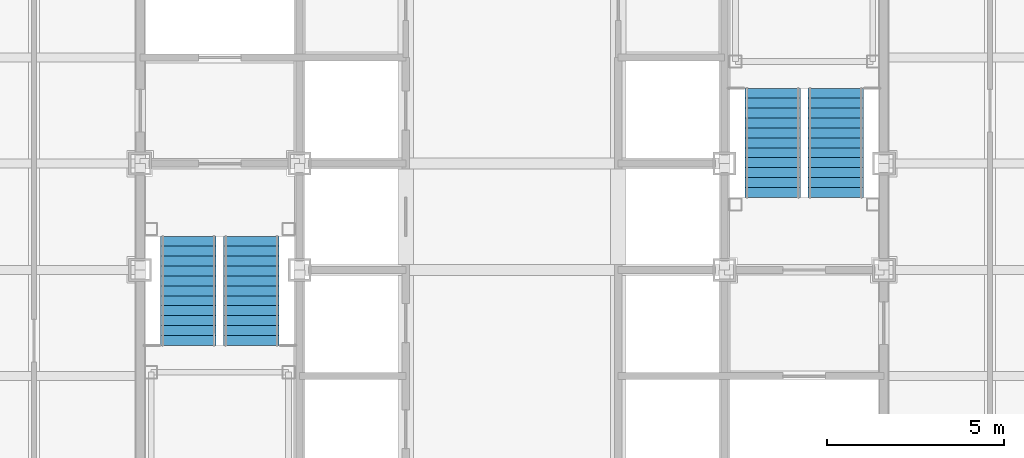
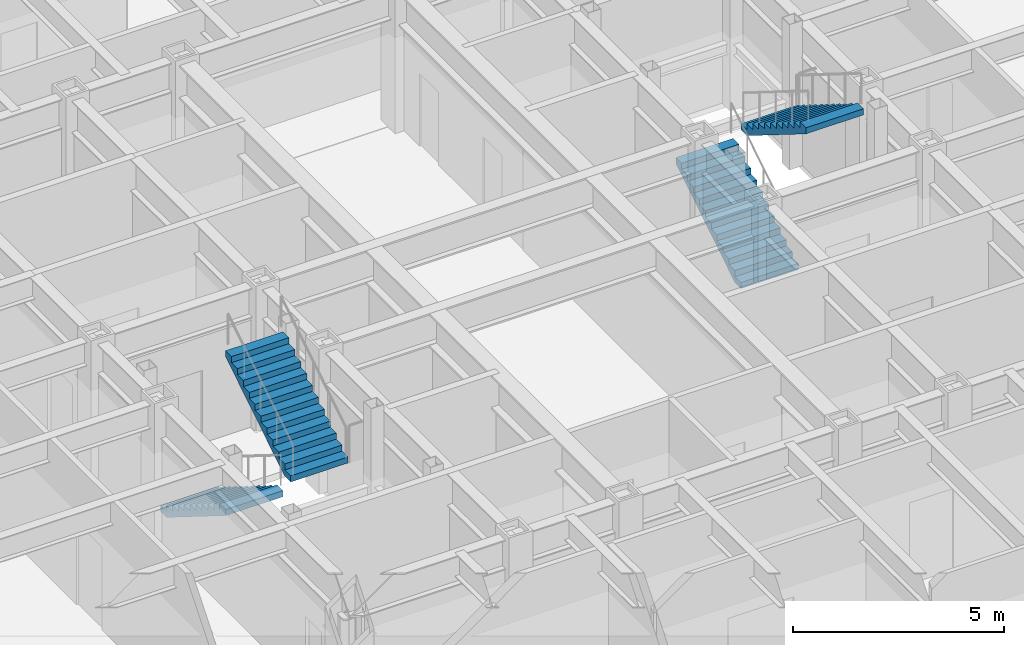
# One storey, part 13 of 16: 4 stair flights, 2 elements without a shape of their own.
"""IFC4 building model written with IfcOpenShell, lengths in metres."""

import ifcopenshell
import ifcopenshell.guid

model = None  # the IFC model being written
_history = None  # IfcOwnerHistory: only IFC2X3 demands one
_inside = {}  # id of a spatial element -> (the spatial element, [elements in it])
_under = {}  # id of a project, library or spatial element -> (it, [spatial elements below it])
_declared = {}  # id of a project -> (the project, [libraries it declares])
_typed = {}  # id of a type object -> (the type object, [elements of that type])
_made_of = {}  # id of a material, layer set ... -> (it, [elements and type objects made of it])


def new_model(schema):
    """Start an empty IFC model of exactly this schema.

    Asked for "IFC4X3", IfcOpenShell would pick the latest addendum, in which some entities
    have other attributes; the version numbers below select the first issue.
    IFC2X3 requires an IfcOwnerHistory on every rooted entity: one is made here for all.
    """
    global model, _history
    if schema == "IFC4X3":
        model = ifcopenshell.file(schema_version=(4, 3, 0, 0))
    else:
        model = ifcopenshell.file(schema=schema)
    _inside.clear()
    _under.clear()
    _declared.clear()
    _typed.clear()
    _made_of.clear()
    _history = None
    if model.schema == "IFC2X3":
        org = make("IfcOrganization", Name="unknown")
        user = make(
            "IfcPersonAndOrganization",
            ThePerson=make("IfcPerson", FamilyName="unknown"),
            TheOrganization=org,
        )
        app = make(
            "IfcApplication",
            ApplicationDeveloper=org,
            Version="unknown",
            ApplicationFullName="unknown",
            ApplicationIdentifier="unknown",
        )
        _history = make(
            "IfcOwnerHistory",
            OwningUser=user,
            OwningApplication=app,
            ChangeAction="ADDED",
            CreationDate=0,
        )
    return model


def make(cls, **values):
    """One entity of the class cls with the attributes given. An attribute that is None is left unset."""
    return model.create_entity(
        cls, **{name: value for name, value in values.items() if value is not None}
    )


def rooted(cls, **values):
    """An entity with a GlobalId (a new one), such as an element, a storey or a relation."""
    return make(cls, GlobalId=ifcopenshell.guid.new(), OwnerHistory=_history, **values)


def si_unit(unit_type, name, prefix=None):
    """IfcSIUnit, for example si_unit("LENGTHUNIT", "METRE", prefix="MILLI")."""
    return make("IfcSIUnit", UnitType=unit_type, Prefix=prefix, Name=name)


def assignment(units):
    """IfcUnitAssignment: the units of a project."""
    return None if units is None else make("IfcUnitAssignment", Units=units)


def point(xyz):
    """IfcCartesianPoint."""
    return None if xyz is None else make("IfcCartesianPoint", Coordinates=xyz)


def direction(xyz):
    """IfcDirection."""
    return None if xyz is None else make("IfcDirection", DirectionRatios=xyz)


def frame(location, z_axis=None, x_axis=None):
    """IfcAxis2Placement3D, a coordinate frame: its origin and axes. An axis left out is left unset."""
    return make(
        "IfcAxis2Placement3D",
        Location=point(location),
        Axis=direction(z_axis),
        RefDirection=direction(x_axis),
    )


def origin():
    """The frame at (0, 0, 0) with its axes left unset."""
    return frame((0.0, 0.0, 0.0))


def place(relative_to, where):
    """IfcLocalPlacement: puts the frame where relative to a parent placement (None: the world)."""
    return make(
        "IfcLocalPlacement", PlacementRelTo=relative_to, RelativePlacement=where
    )


def context(
    kind, dimensions, precision=None, world=None, true_north=None, identifier=None
):
    """IfcGeometricRepresentationContext, for example the 3D "Model" context."""
    return make(
        "IfcGeometricRepresentationContext",
        ContextIdentifier=identifier,
        ContextType=kind,
        CoordinateSpaceDimension=dimensions,
        Precision=precision,
        WorldCoordinateSystem=world,
        TrueNorth=true_north,
    )


def subcontext(parent, identifier, kind, view, scale=None):
    """IfcGeometricRepresentationSubContext, for example "Body" below "Model"."""
    return make(
        "IfcGeometricRepresentationSubContext",
        ContextIdentifier=identifier,
        ContextType=kind,
        ParentContext=parent,
        TargetScale=scale,
        TargetView=view,
    )


def project(units=None, contexts=None):
    """IfcProject with its units and contexts."""
    return rooted(
        "IfcProject",
        Name="project",
        RepresentationContexts=contexts,
        UnitsInContext=assignment(units),
    )


def spatial(cls, under=None, at=None, **own):
    """A site, building, storey or space (cls), placed at a placement, below another one or the project."""
    s = rooted(cls, ObjectPlacement=at, **own)
    if under is not None:
        _under.setdefault(under.id(), (under, []))[1].append(s)
    return s


def faces_of(points, faces, orient=None, outer=None):
    """IfcFace entities. A face is a list of loops; a loop is a list of indices into points, from 0.

    orient and outer hold one flag for each loop. By default every Orientation is true, the
    first loop of a face is its IfcFaceOuterBound and the others are IfcFaceBound.
    """
    made = []
    for i, loops in enumerate(faces):
        bounds = []
        for j, loop in enumerate(loops):
            is_outer = j == 0 if outer is None else outer[i][j]
            bounds.append(
                make(
                    "IfcFaceOuterBound" if is_outer else "IfcFaceBound",
                    Bound=make("IfcPolyLoop", Polygon=[points[k] for k in loop]),
                    Orientation=True if orient is None else orient[i][j],
                )
            )
        made.append(make("IfcFace", Bounds=bounds))
    return made


def faceted_brep(points, faces, orient=None, outer=None, voids=None):
    """IfcFacetedBrep: a solid bounded by flat faces; with voids (closed shells), ...WithVoids."""
    shared = [point(p) for p in points]
    hull = make("IfcClosedShell", CfsFaces=faces_of(shared, faces, orient, outer))
    if voids is None:
        return make("IfcFacetedBrep", Outer=hull)
    return make(
        "IfcFacetedBrepWithVoids",
        Outer=hull,
        Voids=[
            make(cls, CfsFaces=faces_of(shared, fs, o, b)) for cls, fs, o, b in voids
        ],
    )


def shape(context_of_items, identifier, shape_type, items):
    """IfcShapeRepresentation: the items that make up one representation, for example the "Body"."""
    return make(
        "IfcShapeRepresentation",
        ContextOfItems=context_of_items,
        RepresentationIdentifier=identifier,
        RepresentationType=shape_type,
        Items=items,
    )


def material(Name=None, Category=None):
    """IfcMaterial."""
    return make("IfcMaterial", Name=Name, Category=Category)


def made_of(thing, what):
    """Note that an element or type object is made of a material, layer set ...; save() writes the relation."""
    if what is not None:
        _made_of.setdefault(what.id(), (what, []))[1].append(thing)
    return thing


def type_object(cls, material=None, **own):
    """A type object (cls), such as IfcWallType, which elements share."""
    return made_of(rooted(cls, **own), material)


def element(
    cls,
    number,
    at=None,
    inside=None,
    cuts=None,
    type_object=None,
    material=None,
    context=None,
    identifier="Body",
    shape_type=None,
    held_by="IfcProductDefinitionShape",
    body=None,
    shapes=None,
    **own,
):
    """One element of the class cls, such as IfcWall. Its Tag is "e" and its number.

    at: its placement. inside: the storey or other place that contains it. cuts: it is an
    opening in that element (IfcRelVoidsElement). A single representation is given by context,
    identifier, shape_type and body (its items); several are given by shapes. held_by: the class
    of the entity that holds the representations. save() writes the other relations.
    """
    e = rooted(cls, Tag="e%d" % number, ObjectPlacement=at, **own)
    if body is not None:
        shapes = [shape(context, identifier, shape_type, body)]
    if shapes is not None:
        e.Representation = make(held_by, Representations=shapes)
    if inside is not None:
        _inside.setdefault(inside.id(), (inside, []))[1].append(e)
    if cuts is not None:
        rooted(
            "IfcRelVoidsElement", RelatingBuildingElement=cuts, RelatedOpeningElement=e
        )
    if type_object is not None:
        _typed.setdefault(type_object.id(), (type_object, []))[1].append(e)
    return made_of(e, material)


def aggregate(whole, parts):
    """IfcRelAggregates: a whole, such as a stair, and the parts it consists of."""
    return rooted("IfcRelAggregates", RelatingObject=whole, RelatedObjects=parts)


def save(model, path):
    """Write the relations noted so far, then the file.

    IfcRelAggregates (storeys below a building ...), IfcRelContainedInSpatialStructure (elements
    in a storey), IfcRelDefinesByType, IfcRelAssociatesMaterial and IfcRelDeclares: one each for
    every whole, place, type object, material and project.
    """
    for whole, parts in _under.values():
        aggregate(whole, parts)
    for where, things in _inside.values():
        rooted(
            "IfcRelContainedInSpatialStructure",
            RelatedElements=things,
            RelatingStructure=where,
        )
    for kind, things in _typed.values():
        rooted("IfcRelDefinesByType", RelatedObjects=things, RelatingType=kind)
    for what, things in _made_of.values():
        rooted("IfcRelAssociatesMaterial", RelatedObjects=things, RelatingMaterial=what)
    for by, libraries in _declared.values():
        rooted("IfcRelDeclares", RelatingContext=by, RelatedDefinitions=libraries)
    model.write(path)


model = new_model("IFC4")

# Units and contexts
model_context = context("Model", 3, precision=1e-05, world=origin(), true_north=direction((0.0, 1.0)))
body_context = subcontext(model_context, "Body", "Model", "MODEL_VIEW")
ifc_project = project(units=[si_unit("LENGTHUNIT", "METRE"), si_unit("AREAUNIT", "SQUARE_METRE"), si_unit("VOLUMEUNIT", "CUBIC_METRE"), si_unit("PLANEANGLEUNIT", "RADIAN"), si_unit("MASSUNIT", "GRAM", prefix="KILO")], contexts=[model_context])

# Site, building, storey
site_placement = place(None, origin())
site = spatial("IfcSite", under=ifc_project, at=site_placement, CompositionType="ELEMENT")
building_placement = place(site_placement, origin())
building = spatial("IfcBuilding", under=site, at=building_placement, Name="Chuquiago Exchange Tower", CompositionType="ELEMENT")
storey_placement = place(building_placement, frame((0.0, 0.0, 140.39990234375)))
storey = spatial("IfcBuildingStorey", under=building, at=storey_placement, Name="L30", CompositionType="ELEMENT", Elevation=140.39990234375)

# Stair, stair flights
ifc_material_1 = material(Name="Concrete C30/37, precast", Category="concrete")
stair_type_1 = type_object("IfcStairType", Name="ST1 half-turn stair 4200", PredefinedType="HALF_TURN_STAIR", material=ifc_material_1)
stair_1_placement = place(storey_placement, origin())
stair_1 = element("IfcStair", 1, at=stair_1_placement, inside=storey, type_object=stair_type_1, Name="Stair ST1 L30", PredefinedType="HALF_TURN_STAIR")
ifc_material_2 = material(Name="Concrete C30/37, precast", Category="concrete")
stair_flight_type = type_object("IfcStairFlightType", Name="ST-F flight 1570 for 4200 storey", PredefinedType="STRAIGHT", material=ifc_material_2)
stair_flight_1_placement = place(storey_placement, frame((13.360107421875, 21.949951171875, 0.0), z_axis=(0.0, 0.0, 1.0), x_axis=(0.0, -1.0, 0.0)))
stair_flight_1 = element("IfcStairFlight", 2, at=stair_flight_1_placement, type_object=stair_flight_type, Name="ST1 flight 1", NumberOfRisers=12, NumberOfTreads=11, PredefinedType="STRAIGHT", RiserHeight=0.175, TreadLength=0.28, context=body_context, shape_type="Brep", body=[
    faceted_brep([(0.0, 0.78515625, 0.0), (0.0, 0.78515625, 0.175048828125), (0.280029296875, 0.78515625, 0.175048828125), (0.280029296875, 0.78515625, 0.35009765625), (0.56005859375, 0.78515625, 0.35009765625), (0.56005859375, 0.78515625, 0.52490234375), (0.840087890625, 0.78515625, 0.52490234375), (0.840087890625, 0.78515625, 0.699951171875), (1.1201171875, 0.78515625, 0.699951171875), (1.1201171875, 0.78515625, 0.875), (1.39990234375, 0.78515625, 0.875), (1.39990234375, 0.78515625, 1.050048828125), (1.679931640625, 0.78515625, 1.050048828125), (1.679931640625, 0.78515625, 1.22509765625), (1.9599609375, 0.78515625, 1.22509765625), (1.9599609375, 0.78515625, 1.39990234375), (2.239990234375, 0.78515625, 1.39990234375), (2.239990234375, 0.78515625, 1.574951171875), (2.52001953125, 0.78515625, 1.574951171875), (2.52001953125, 0.78515625, 1.75), (2.800048828125, 0.78515625, 1.75), (2.800048828125, 0.78515625, 1.925048828125), (3.080078125, 0.78515625, 1.925048828125), (3.080078125, 0.78515625, 1.748291015625), (0.28271484375, 0.78515625, 0.0), (0.28271484375, -0.78515625, 0.0), (3.080078125, -0.78515625, 1.748291015625), (3.080078125, -0.78515625, 1.925048828125), (2.800048828125, -0.78515625, 1.925048828125), (2.800048828125, -0.78515625, 1.75), (2.52001953125, -0.78515625, 1.75), (2.52001953125, -0.78515625, 1.574951171875), (2.239990234375, -0.78515625, 1.574951171875), (2.239990234375, -0.78515625, 1.39990234375), (1.9599609375, -0.78515625, 1.39990234375), (1.9599609375, -0.78515625, 1.22509765625), (1.679931640625, -0.78515625, 1.22509765625), (1.679931640625, -0.78515625, 1.050048828125), (1.39990234375, -0.78515625, 1.050048828125), (1.39990234375, -0.78515625, 0.875), (1.1201171875, -0.78515625, 0.875), (1.1201171875, -0.78515625, 0.699951171875), (0.840087890625, -0.78515625, 0.699951171875), (0.840087890625, -0.78515625, 0.52490234375), (0.56005859375, -0.78515625, 0.52490234375), (0.56005859375, -0.78515625, 0.35009765625), (0.280029296875, -0.78515625, 0.35009765625), (0.280029296875, -0.78515625, 0.175048828125), (0.0, -0.78515625, 0.175048828125), (0.0, -0.78515625, 0.0), (0.0, 0.392578125, 0.0), (0.0, 0.392578125, 0.175048828125), (0.0, 0.0, 0.0), (0.0, 0.0, 0.175048828125), (0.0, -0.392578125, 0.0), (0.0, -0.392578125, 0.175048828125), (0.280029296875, 0.392578125, 0.175048828125), (0.280029296875, 0.0, 0.175048828125), (0.280029296875, -0.392578125, 0.175048828125), (0.280029296875, 0.392578125, 0.35009765625), (0.280029296875, 0.0, 0.35009765625), (0.280029296875, -0.392578125, 0.35009765625), (0.56005859375, 0.392578125, 0.35009765625), (0.56005859375, 0.0, 0.35009765625), (0.56005859375, -0.392578125, 0.35009765625), (0.56005859375, 0.392578125, 0.52490234375), (0.56005859375, 0.0, 0.52490234375), (0.56005859375, -0.392578125, 0.52490234375), (0.840087890625, 0.392578125, 0.52490234375), (0.840087890625, 0.0, 0.52490234375), (0.840087890625, -0.392578125, 0.52490234375), (0.840087890625, 0.392578125, 0.699951171875), (0.840087890625, 0.0, 0.699951171875), (0.840087890625, -0.392578125, 0.699951171875), (1.1201171875, 0.392578125, 0.699951171875), (1.1201171875, 0.0, 0.699951171875), (1.1201171875, -0.392578125, 0.699951171875), (1.1201171875, 0.392578125, 0.875), (1.1201171875, 0.0, 0.875), (1.1201171875, -0.392578125, 0.875), (1.39990234375, 0.392578125, 0.875), (1.39990234375, 0.0, 0.875), (1.39990234375, -0.392578125, 0.875), (1.39990234375, 0.392578125, 1.050048828125), (1.39990234375, 0.0, 1.050048828125), (1.39990234375, -0.392578125, 1.050048828125), (1.679931640625, 0.392578125, 1.050048828125), (1.679931640625, 0.0, 1.050048828125), (1.679931640625, -0.392578125, 1.050048828125), (1.679931640625, 0.392578125, 1.22509765625), (1.679931640625, 0.0, 1.22509765625), (1.679931640625, -0.392578125, 1.22509765625), (1.9599609375, 0.392578125, 1.22509765625), (1.9599609375, 0.0, 1.22509765625), (1.9599609375, -0.392578125, 1.22509765625), (1.9599609375, 0.392578125, 1.39990234375), (1.9599609375, 0.0, 1.39990234375), (1.9599609375, -0.392578125, 1.39990234375), (2.239990234375, 0.392578125, 1.39990234375), (2.239990234375, 0.0, 1.39990234375), (2.239990234375, -0.392578125, 1.39990234375), (2.239990234375, 0.392578125, 1.574951171875), (2.239990234375, 0.0, 1.574951171875), (2.239990234375, -0.392578125, 1.574951171875), (2.52001953125, 0.392578125, 1.574951171875), (2.52001953125, 0.0, 1.574951171875), (2.52001953125, -0.392578125, 1.574951171875), (2.52001953125, 0.392578125, 1.75), (2.52001953125, 0.0, 1.75), (2.52001953125, -0.392578125, 1.75), (2.800048828125, 0.392578125, 1.75), (2.800048828125, 0.0, 1.75), (2.800048828125, -0.392578125, 1.75), (2.800048828125, 0.392578125, 1.925048828125), (2.800048828125, 0.0, 1.925048828125), (2.800048828125, -0.392578125, 1.925048828125), (3.080078125, 0.392578125, 1.925048828125), (3.080078125, 0.0, 1.925048828125), (3.080078125, -0.392578125, 1.925048828125), (3.080078125, 0.392578125, 1.748291015625), (3.080078125, 0.0, 1.748291015625), (3.080078125, -0.392578125, 1.748291015625), (0.28271484375, 0.392578125, 0.0), (0.28271484375, 0.0, 0.0), (0.28271484375, -0.392578125, 0.0)], [[[0, 1, 2, 3, 4, 5, 6, 7, 8, 9, 10, 11, 12, 13, 14, 15, 16, 17, 18, 19, 20, 21, 22, 23, 24]], [[25, 26, 27, 28, 29, 30, 31, 32, 33, 34, 35, 36, 37, 38, 39, 40, 41, 42, 43, 44, 45, 46, 47, 48, 49]], [[1, 0, 50, 51]], [[51, 50, 52, 53]], [[53, 52, 54, 55]], [[55, 54, 49, 48]], [[2, 1, 51, 56]], [[56, 51, 53, 57]], [[57, 53, 55, 58]], [[58, 55, 48, 47]], [[3, 2, 56, 59]], [[59, 56, 57, 60]], [[60, 57, 58, 61]], [[61, 58, 47, 46]], [[4, 3, 59, 62]], [[62, 59, 60, 63]], [[63, 60, 61, 64]], [[64, 61, 46, 45]], [[5, 4, 62, 65]], [[65, 62, 63, 66]], [[66, 63, 64, 67]], [[67, 64, 45, 44]], [[6, 5, 65, 68]], [[68, 65, 66, 69]], [[69, 66, 67, 70]], [[70, 67, 44, 43]], [[7, 6, 68, 71]], [[71, 68, 69, 72]], [[72, 69, 70, 73]], [[73, 70, 43, 42]], [[8, 7, 71, 74]], [[74, 71, 72, 75]], [[75, 72, 73, 76]], [[76, 73, 42, 41]], [[9, 8, 74, 77]], [[77, 74, 75, 78]], [[78, 75, 76, 79]], [[79, 76, 41, 40]], [[10, 9, 77, 80]], [[80, 77, 78, 81]], [[81, 78, 79, 82]], [[82, 79, 40, 39]], [[11, 10, 80, 83]], [[83, 80, 81, 84]], [[84, 81, 82, 85]], [[85, 82, 39, 38]], [[12, 11, 83, 86]], [[86, 83, 84, 87]], [[87, 84, 85, 88]], [[88, 85, 38, 37]], [[13, 12, 86, 89]], [[89, 86, 87, 90]], [[90, 87, 88, 91]], [[91, 88, 37, 36]], [[14, 13, 89, 92]], [[92, 89, 90, 93]], [[93, 90, 91, 94]], [[94, 91, 36, 35]], [[15, 14, 92, 95]], [[95, 92, 93, 96]], [[96, 93, 94, 97]], [[97, 94, 35, 34]], [[16, 15, 95, 98]], [[98, 95, 96, 99]], [[99, 96, 97, 100]], [[100, 97, 34, 33]], [[17, 16, 98, 101]], [[101, 98, 99, 102]], [[102, 99, 100, 103]], [[103, 100, 33, 32]], [[18, 17, 101, 104]], [[104, 101, 102, 105]], [[105, 102, 103, 106]], [[106, 103, 32, 31]], [[19, 18, 104, 107]], [[107, 104, 105, 108]], [[108, 105, 106, 109]], [[109, 106, 31, 30]], [[20, 19, 107, 110]], [[110, 107, 108, 111]], [[111, 108, 109, 112]], [[112, 109, 30, 29]], [[21, 20, 110, 113]], [[113, 110, 111, 114]], [[114, 111, 112, 115]], [[115, 112, 29, 28]], [[22, 21, 113, 116]], [[116, 113, 114, 117]], [[117, 114, 115, 118]], [[118, 115, 28, 27]], [[23, 22, 116, 119]], [[119, 116, 117, 120]], [[120, 117, 118, 121]], [[121, 118, 27, 26]], [[24, 23, 119, 122]], [[122, 119, 120, 123]], [[123, 120, 121, 124]], [[124, 121, 26, 25]], [[0, 24, 122, 50]], [[50, 122, 123, 52]], [[52, 123, 124, 54]], [[54, 124, 25, 49]]]),
])
stair_flight_2_placement = place(storey_placement, frame((15.139892578125, 18.8701171875, 2.10009765625), z_axis=(0.0, 0.0, 1.0), x_axis=(0.0, 1.0, 0.0)))
stair_flight_2 = element("IfcStairFlight", 3, at=stair_flight_2_placement, type_object=stair_flight_type, Name="ST1 flight 2", NumberOfRisers=12, NumberOfTreads=11, PredefinedType="STRAIGHT", RiserHeight=0.175, TreadLength=0.28, context=body_context, shape_type="Brep", body=[
    faceted_brep([(0.0, 0.78515625, 0.0), (0.0, 0.78515625, 0.175048828125), (0.280029296875, 0.78515625, 0.175048828125), (0.280029296875, 0.78515625, 0.35009765625), (0.56005859375, 0.78515625, 0.35009765625), (0.56005859375, 0.78515625, 0.52490234375), (0.840087890625, 0.78515625, 0.52490234375), (0.840087890625, 0.78515625, 0.699951171875), (1.1201171875, 0.78515625, 0.699951171875), (1.1201171875, 0.78515625, 0.875), (1.39990234375, 0.78515625, 0.875), (1.39990234375, 0.78515625, 1.050048828125), (1.679931640625, 0.78515625, 1.050048828125), (1.679931640625, 0.78515625, 1.22509765625), (1.9599609375, 0.78515625, 1.22509765625), (1.9599609375, 0.78515625, 1.39990234375), (2.239990234375, 0.78515625, 1.39990234375), (2.239990234375, 0.78515625, 1.574951171875), (2.52001953125, 0.78515625, 1.574951171875), (2.52001953125, 0.78515625, 1.75), (2.800048828125, 0.78515625, 1.75), (2.800048828125, 0.78515625, 1.925048828125), (3.080078125, 0.78515625, 1.925048828125), (3.080078125, 0.78515625, 1.748291015625), (0.28271484375, 0.78515625, 0.0), (0.28271484375, -0.78515625, 0.0), (3.080078125, -0.78515625, 1.748291015625), (3.080078125, -0.78515625, 1.925048828125), (2.800048828125, -0.78515625, 1.925048828125), (2.800048828125, -0.78515625, 1.75), (2.52001953125, -0.78515625, 1.75), (2.52001953125, -0.78515625, 1.574951171875), (2.239990234375, -0.78515625, 1.574951171875), (2.239990234375, -0.78515625, 1.39990234375), (1.9599609375, -0.78515625, 1.39990234375), (1.9599609375, -0.78515625, 1.22509765625), (1.679931640625, -0.78515625, 1.22509765625), (1.679931640625, -0.78515625, 1.050048828125), (1.39990234375, -0.78515625, 1.050048828125), (1.39990234375, -0.78515625, 0.875), (1.1201171875, -0.78515625, 0.875), (1.1201171875, -0.78515625, 0.699951171875), (0.840087890625, -0.78515625, 0.699951171875), (0.840087890625, -0.78515625, 0.52490234375), (0.56005859375, -0.78515625, 0.52490234375), (0.56005859375, -0.78515625, 0.35009765625), (0.280029296875, -0.78515625, 0.35009765625), (0.280029296875, -0.78515625, 0.175048828125), (0.0, -0.78515625, 0.175048828125), (0.0, -0.78515625, 0.0), (0.0, 0.392578125, 0.0), (0.0, 0.392578125, 0.175048828125), (0.0, 0.0, 0.0), (0.0, 0.0, 0.175048828125), (0.0, -0.392578125, 0.0), (0.0, -0.392578125, 0.175048828125), (0.280029296875, 0.392578125, 0.175048828125), (0.280029296875, 0.0, 0.175048828125), (0.280029296875, -0.392578125, 0.175048828125), (0.280029296875, 0.392578125, 0.35009765625), (0.280029296875, 0.0, 0.35009765625), (0.280029296875, -0.392578125, 0.35009765625), (0.56005859375, 0.392578125, 0.35009765625), (0.56005859375, 0.0, 0.35009765625), (0.56005859375, -0.392578125, 0.35009765625), (0.56005859375, 0.392578125, 0.52490234375), (0.56005859375, 0.0, 0.52490234375), (0.56005859375, -0.392578125, 0.52490234375), (0.840087890625, 0.392578125, 0.52490234375), (0.840087890625, 0.0, 0.52490234375), (0.840087890625, -0.392578125, 0.52490234375), (0.840087890625, 0.392578125, 0.699951171875), (0.840087890625, 0.0, 0.699951171875), (0.840087890625, -0.392578125, 0.699951171875), (1.1201171875, 0.392578125, 0.699951171875), (1.1201171875, 0.0, 0.699951171875), (1.1201171875, -0.392578125, 0.699951171875), (1.1201171875, 0.392578125, 0.875), (1.1201171875, 0.0, 0.875), (1.1201171875, -0.392578125, 0.875), (1.39990234375, 0.392578125, 0.875), (1.39990234375, 0.0, 0.875), (1.39990234375, -0.392578125, 0.875), (1.39990234375, 0.392578125, 1.050048828125), (1.39990234375, 0.0, 1.050048828125), (1.39990234375, -0.392578125, 1.050048828125), (1.679931640625, 0.392578125, 1.050048828125), (1.679931640625, 0.0, 1.050048828125), (1.679931640625, -0.392578125, 1.050048828125), (1.679931640625, 0.392578125, 1.22509765625), (1.679931640625, 0.0, 1.22509765625), (1.679931640625, -0.392578125, 1.22509765625), (1.9599609375, 0.392578125, 1.22509765625), (1.9599609375, 0.0, 1.22509765625), (1.9599609375, -0.392578125, 1.22509765625), (1.9599609375, 0.392578125, 1.39990234375), (1.9599609375, 0.0, 1.39990234375), (1.9599609375, -0.392578125, 1.39990234375), (2.239990234375, 0.392578125, 1.39990234375), (2.239990234375, 0.0, 1.39990234375), (2.239990234375, -0.392578125, 1.39990234375), (2.239990234375, 0.392578125, 1.574951171875), (2.239990234375, 0.0, 1.574951171875), (2.239990234375, -0.392578125, 1.574951171875), (2.52001953125, 0.392578125, 1.574951171875), (2.52001953125, 0.0, 1.574951171875), (2.52001953125, -0.392578125, 1.574951171875), (2.52001953125, 0.392578125, 1.75), (2.52001953125, 0.0, 1.75), (2.52001953125, -0.392578125, 1.75), (2.800048828125, 0.392578125, 1.75), (2.800048828125, 0.0, 1.75), (2.800048828125, -0.392578125, 1.75), (2.800048828125, 0.392578125, 1.925048828125), (2.800048828125, 0.0, 1.925048828125), (2.800048828125, -0.392578125, 1.925048828125), (3.080078125, 0.392578125, 1.925048828125), (3.080078125, 0.0, 1.925048828125), (3.080078125, -0.392578125, 1.925048828125), (3.080078125, 0.392578125, 1.748291015625), (3.080078125, 0.0, 1.748291015625), (3.080078125, -0.392578125, 1.748291015625), (0.28271484375, 0.392578125, 0.0), (0.28271484375, 0.0, 0.0), (0.28271484375, -0.392578125, 0.0)], [[[0, 1, 2, 3, 4, 5, 6, 7, 8, 9, 10, 11, 12, 13, 14, 15, 16, 17, 18, 19, 20, 21, 22, 23, 24]], [[25, 26, 27, 28, 29, 30, 31, 32, 33, 34, 35, 36, 37, 38, 39, 40, 41, 42, 43, 44, 45, 46, 47, 48, 49]], [[1, 0, 50, 51]], [[51, 50, 52, 53]], [[53, 52, 54, 55]], [[55, 54, 49, 48]], [[2, 1, 51, 56]], [[56, 51, 53, 57]], [[57, 53, 55, 58]], [[58, 55, 48, 47]], [[3, 2, 56, 59]], [[59, 56, 57, 60]], [[60, 57, 58, 61]], [[61, 58, 47, 46]], [[4, 3, 59, 62]], [[62, 59, 60, 63]], [[63, 60, 61, 64]], [[64, 61, 46, 45]], [[5, 4, 62, 65]], [[65, 62, 63, 66]], [[66, 63, 64, 67]], [[67, 64, 45, 44]], [[6, 5, 65, 68]], [[68, 65, 66, 69]], [[69, 66, 67, 70]], [[70, 67, 44, 43]], [[7, 6, 68, 71]], [[71, 68, 69, 72]], [[72, 69, 70, 73]], [[73, 70, 43, 42]], [[8, 7, 71, 74]], [[74, 71, 72, 75]], [[75, 72, 73, 76]], [[76, 73, 42, 41]], [[9, 8, 74, 77]], [[77, 74, 75, 78]], [[78, 75, 76, 79]], [[79, 76, 41, 40]], [[10, 9, 77, 80]], [[80, 77, 78, 81]], [[81, 78, 79, 82]], [[82, 79, 40, 39]], [[11, 10, 80, 83]], [[83, 80, 81, 84]], [[84, 81, 82, 85]], [[85, 82, 39, 38]], [[12, 11, 83, 86]], [[86, 83, 84, 87]], [[87, 84, 85, 88]], [[88, 85, 38, 37]], [[13, 12, 86, 89]], [[89, 86, 87, 90]], [[90, 87, 88, 91]], [[91, 88, 37, 36]], [[14, 13, 89, 92]], [[92, 89, 90, 93]], [[93, 90, 91, 94]], [[94, 91, 36, 35]], [[15, 14, 92, 95]], [[95, 92, 93, 96]], [[96, 93, 94, 97]], [[97, 94, 35, 34]], [[16, 15, 95, 98]], [[98, 95, 96, 99]], [[99, 96, 97, 100]], [[100, 97, 34, 33]], [[17, 16, 98, 101]], [[101, 98, 99, 102]], [[102, 99, 100, 103]], [[103, 100, 33, 32]], [[18, 17, 101, 104]], [[104, 101, 102, 105]], [[105, 102, 103, 106]], [[106, 103, 32, 31]], [[19, 18, 104, 107]], [[107, 104, 105, 108]], [[108, 105, 106, 109]], [[109, 106, 31, 30]], [[20, 19, 107, 110]], [[110, 107, 108, 111]], [[111, 108, 109, 112]], [[112, 109, 30, 29]], [[21, 20, 110, 113]], [[113, 110, 111, 114]], [[114, 111, 112, 115]], [[115, 112, 29, 28]], [[22, 21, 113, 116]], [[116, 113, 114, 117]], [[117, 114, 115, 118]], [[118, 115, 28, 27]], [[23, 22, 116, 119]], [[119, 116, 117, 120]], [[120, 117, 118, 121]], [[121, 118, 27, 26]], [[24, 23, 119, 122]], [[122, 119, 120, 123]], [[123, 120, 121, 124]], [[124, 121, 26, 25]], [[0, 24, 122, 50]], [[50, 122, 123, 52]], [[52, 123, 124, 54]], [[54, 124, 25, 49]]]),
])
aggregate(stair_1, [stair_flight_1, stair_flight_2])

ifc_material_3 = material(Name="Concrete C30/37, precast", Category="concrete")
stair_type_2 = type_object("IfcStairType", Name="ST2 half-turn stair 4200", PredefinedType="HALF_TURN_STAIR", material=ifc_material_3)
stair_2_placement = place(storey_placement, origin())
stair_2 = element("IfcStair", 4, at=stair_2_placement, inside=storey, type_object=stair_type_2, Name="Stair ST2 L30", PredefinedType="HALF_TURN_STAIR")
stair_flight_3_placement = place(storey_placement, frame((29.860107421875, 23.050048828125, 0.0), z_axis=(0.0, 0.0, 1.0), x_axis=(0.0, 1.0, 0.0)))
stair_flight_3 = element("IfcStairFlight", 5, at=stair_flight_3_placement, type_object=stair_flight_type, Name="ST2 flight 1", NumberOfRisers=12, NumberOfTreads=11, PredefinedType="STRAIGHT", RiserHeight=0.175, TreadLength=0.28, context=body_context, shape_type="Brep", body=[
    faceted_brep([(0.0, 0.78515625, 0.0), (0.0, 0.78515625, 0.175048828125), (0.280029296875, 0.78515625, 0.175048828125), (0.280029296875, 0.78515625, 0.35009765625), (0.56005859375, 0.78515625, 0.35009765625), (0.56005859375, 0.78515625, 0.52490234375), (0.840087890625, 0.78515625, 0.52490234375), (0.840087890625, 0.78515625, 0.699951171875), (1.1201171875, 0.78515625, 0.699951171875), (1.1201171875, 0.78515625, 0.875), (1.39990234375, 0.78515625, 0.875), (1.39990234375, 0.78515625, 1.050048828125), (1.679931640625, 0.78515625, 1.050048828125), (1.679931640625, 0.78515625, 1.22509765625), (1.9599609375, 0.78515625, 1.22509765625), (1.9599609375, 0.78515625, 1.39990234375), (2.239990234375, 0.78515625, 1.39990234375), (2.239990234375, 0.78515625, 1.574951171875), (2.52001953125, 0.78515625, 1.574951171875), (2.52001953125, 0.78515625, 1.75), (2.800048828125, 0.78515625, 1.75), (2.800048828125, 0.78515625, 1.925048828125), (3.080078125, 0.78515625, 1.925048828125), (3.080078125, 0.78515625, 1.748291015625), (0.28271484375, 0.78515625, 0.0), (0.28271484375, -0.78515625, 0.0), (3.080078125, -0.78515625, 1.748291015625), (3.080078125, -0.78515625, 1.925048828125), (2.800048828125, -0.78515625, 1.925048828125), (2.800048828125, -0.78515625, 1.75), (2.52001953125, -0.78515625, 1.75), (2.52001953125, -0.78515625, 1.574951171875), (2.239990234375, -0.78515625, 1.574951171875), (2.239990234375, -0.78515625, 1.39990234375), (1.9599609375, -0.78515625, 1.39990234375), (1.9599609375, -0.78515625, 1.22509765625), (1.679931640625, -0.78515625, 1.22509765625), (1.679931640625, -0.78515625, 1.050048828125), (1.39990234375, -0.78515625, 1.050048828125), (1.39990234375, -0.78515625, 0.875), (1.1201171875, -0.78515625, 0.875), (1.1201171875, -0.78515625, 0.699951171875), (0.840087890625, -0.78515625, 0.699951171875), (0.840087890625, -0.78515625, 0.52490234375), (0.56005859375, -0.78515625, 0.52490234375), (0.56005859375, -0.78515625, 0.35009765625), (0.280029296875, -0.78515625, 0.35009765625), (0.280029296875, -0.78515625, 0.175048828125), (0.0, -0.78515625, 0.175048828125), (0.0, -0.78515625, 0.0), (0.0, 0.392578125, 0.0), (0.0, 0.392578125, 0.175048828125), (0.0, 0.0, 0.0), (0.0, 0.0, 0.175048828125), (0.0, -0.392578125, 0.0), (0.0, -0.392578125, 0.175048828125), (0.280029296875, 0.392578125, 0.175048828125), (0.280029296875, 0.0, 0.175048828125), (0.280029296875, -0.392578125, 0.175048828125), (0.280029296875, 0.392578125, 0.35009765625), (0.280029296875, 0.0, 0.35009765625), (0.280029296875, -0.392578125, 0.35009765625), (0.56005859375, 0.392578125, 0.35009765625), (0.56005859375, 0.0, 0.35009765625), (0.56005859375, -0.392578125, 0.35009765625), (0.56005859375, 0.392578125, 0.52490234375), (0.56005859375, 0.0, 0.52490234375), (0.56005859375, -0.392578125, 0.52490234375), (0.840087890625, 0.392578125, 0.52490234375), (0.840087890625, 0.0, 0.52490234375), (0.840087890625, -0.392578125, 0.52490234375), (0.840087890625, 0.392578125, 0.699951171875), (0.840087890625, 0.0, 0.699951171875), (0.840087890625, -0.392578125, 0.699951171875), (1.1201171875, 0.392578125, 0.699951171875), (1.1201171875, 0.0, 0.699951171875), (1.1201171875, -0.392578125, 0.699951171875), (1.1201171875, 0.392578125, 0.875), (1.1201171875, 0.0, 0.875), (1.1201171875, -0.392578125, 0.875), (1.39990234375, 0.392578125, 0.875), (1.39990234375, 0.0, 0.875), (1.39990234375, -0.392578125, 0.875), (1.39990234375, 0.392578125, 1.050048828125), (1.39990234375, 0.0, 1.050048828125), (1.39990234375, -0.392578125, 1.050048828125), (1.679931640625, 0.392578125, 1.050048828125), (1.679931640625, 0.0, 1.050048828125), (1.679931640625, -0.392578125, 1.050048828125), (1.679931640625, 0.392578125, 1.22509765625), (1.679931640625, 0.0, 1.22509765625), (1.679931640625, -0.392578125, 1.22509765625), (1.9599609375, 0.392578125, 1.22509765625), (1.9599609375, 0.0, 1.22509765625), (1.9599609375, -0.392578125, 1.22509765625), (1.9599609375, 0.392578125, 1.39990234375), (1.9599609375, 0.0, 1.39990234375), (1.9599609375, -0.392578125, 1.39990234375), (2.239990234375, 0.392578125, 1.39990234375), (2.239990234375, 0.0, 1.39990234375), (2.239990234375, -0.392578125, 1.39990234375), (2.239990234375, 0.392578125, 1.574951171875), (2.239990234375, 0.0, 1.574951171875), (2.239990234375, -0.392578125, 1.574951171875), (2.52001953125, 0.392578125, 1.574951171875), (2.52001953125, 0.0, 1.574951171875), (2.52001953125, -0.392578125, 1.574951171875), (2.52001953125, 0.392578125, 1.75), (2.52001953125, 0.0, 1.75), (2.52001953125, -0.392578125, 1.75), (2.800048828125, 0.392578125, 1.75), (2.800048828125, 0.0, 1.75), (2.800048828125, -0.392578125, 1.75), (2.800048828125, 0.392578125, 1.925048828125), (2.800048828125, 0.0, 1.925048828125), (2.800048828125, -0.392578125, 1.925048828125), (3.080078125, 0.392578125, 1.925048828125), (3.080078125, 0.0, 1.925048828125), (3.080078125, -0.392578125, 1.925048828125), (3.080078125, 0.392578125, 1.748291015625), (3.080078125, 0.0, 1.748291015625), (3.080078125, -0.392578125, 1.748291015625), (0.28271484375, 0.392578125, 0.0), (0.28271484375, 0.0, 0.0), (0.28271484375, -0.392578125, 0.0)], [[[0, 1, 2, 3, 4, 5, 6, 7, 8, 9, 10, 11, 12, 13, 14, 15, 16, 17, 18, 19, 20, 21, 22, 23, 24]], [[25, 26, 27, 28, 29, 30, 31, 32, 33, 34, 35, 36, 37, 38, 39, 40, 41, 42, 43, 44, 45, 46, 47, 48, 49]], [[1, 0, 50, 51]], [[51, 50, 52, 53]], [[53, 52, 54, 55]], [[55, 54, 49, 48]], [[2, 1, 51, 56]], [[56, 51, 53, 57]], [[57, 53, 55, 58]], [[58, 55, 48, 47]], [[3, 2, 56, 59]], [[59, 56, 57, 60]], [[60, 57, 58, 61]], [[61, 58, 47, 46]], [[4, 3, 59, 62]], [[62, 59, 60, 63]], [[63, 60, 61, 64]], [[64, 61, 46, 45]], [[5, 4, 62, 65]], [[65, 62, 63, 66]], [[66, 63, 64, 67]], [[67, 64, 45, 44]], [[6, 5, 65, 68]], [[68, 65, 66, 69]], [[69, 66, 67, 70]], [[70, 67, 44, 43]], [[7, 6, 68, 71]], [[71, 68, 69, 72]], [[72, 69, 70, 73]], [[73, 70, 43, 42]], [[8, 7, 71, 74]], [[74, 71, 72, 75]], [[75, 72, 73, 76]], [[76, 73, 42, 41]], [[9, 8, 74, 77]], [[77, 74, 75, 78]], [[78, 75, 76, 79]], [[79, 76, 41, 40]], [[10, 9, 77, 80]], [[80, 77, 78, 81]], [[81, 78, 79, 82]], [[82, 79, 40, 39]], [[11, 10, 80, 83]], [[83, 80, 81, 84]], [[84, 81, 82, 85]], [[85, 82, 39, 38]], [[12, 11, 83, 86]], [[86, 83, 84, 87]], [[87, 84, 85, 88]], [[88, 85, 38, 37]], [[13, 12, 86, 89]], [[89, 86, 87, 90]], [[90, 87, 88, 91]], [[91, 88, 37, 36]], [[14, 13, 89, 92]], [[92, 89, 90, 93]], [[93, 90, 91, 94]], [[94, 91, 36, 35]], [[15, 14, 92, 95]], [[95, 92, 93, 96]], [[96, 93, 94, 97]], [[97, 94, 35, 34]], [[16, 15, 95, 98]], [[98, 95, 96, 99]], [[99, 96, 97, 100]], [[100, 97, 34, 33]], [[17, 16, 98, 101]], [[101, 98, 99, 102]], [[102, 99, 100, 103]], [[103, 100, 33, 32]], [[18, 17, 101, 104]], [[104, 101, 102, 105]], [[105, 102, 103, 106]], [[106, 103, 32, 31]], [[19, 18, 104, 107]], [[107, 104, 105, 108]], [[108, 105, 106, 109]], [[109, 106, 31, 30]], [[20, 19, 107, 110]], [[110, 107, 108, 111]], [[111, 108, 109, 112]], [[112, 109, 30, 29]], [[21, 20, 110, 113]], [[113, 110, 111, 114]], [[114, 111, 112, 115]], [[115, 112, 29, 28]], [[22, 21, 113, 116]], [[116, 113, 114, 117]], [[117, 114, 115, 118]], [[118, 115, 28, 27]], [[23, 22, 116, 119]], [[119, 116, 117, 120]], [[120, 117, 118, 121]], [[121, 118, 27, 26]], [[24, 23, 119, 122]], [[122, 119, 120, 123]], [[123, 120, 121, 124]], [[124, 121, 26, 25]], [[0, 24, 122, 50]], [[50, 122, 123, 52]], [[52, 123, 124, 54]], [[54, 124, 25, 49]]]),
])
stair_flight_4_placement = place(storey_placement, frame((31.639892578125, 26.1298828125, 2.10009765625), z_axis=(0.0, 0.0, 1.0), x_axis=(0.0, -1.0, 0.0)))
stair_flight_4 = element("IfcStairFlight", 6, at=stair_flight_4_placement, type_object=stair_flight_type, Name="ST2 flight 2", NumberOfRisers=12, NumberOfTreads=11, PredefinedType="STRAIGHT", RiserHeight=0.175, TreadLength=0.28, context=body_context, shape_type="Brep", body=[
    faceted_brep([(0.0, 0.78515625, 0.0), (0.0, 0.78515625, 0.175048828125), (0.280029296875, 0.78515625, 0.175048828125), (0.280029296875, 0.78515625, 0.35009765625), (0.56005859375, 0.78515625, 0.35009765625), (0.56005859375, 0.78515625, 0.52490234375), (0.840087890625, 0.78515625, 0.52490234375), (0.840087890625, 0.78515625, 0.699951171875), (1.1201171875, 0.78515625, 0.699951171875), (1.1201171875, 0.78515625, 0.875), (1.39990234375, 0.78515625, 0.875), (1.39990234375, 0.78515625, 1.050048828125), (1.679931640625, 0.78515625, 1.050048828125), (1.679931640625, 0.78515625, 1.22509765625), (1.9599609375, 0.78515625, 1.22509765625), (1.9599609375, 0.78515625, 1.39990234375), (2.239990234375, 0.78515625, 1.39990234375), (2.239990234375, 0.78515625, 1.574951171875), (2.52001953125, 0.78515625, 1.574951171875), (2.52001953125, 0.78515625, 1.75), (2.800048828125, 0.78515625, 1.75), (2.800048828125, 0.78515625, 1.925048828125), (3.080078125, 0.78515625, 1.925048828125), (3.080078125, 0.78515625, 1.748291015625), (0.28271484375, 0.78515625, 0.0), (0.28271484375, -0.78515625, 0.0), (3.080078125, -0.78515625, 1.748291015625), (3.080078125, -0.78515625, 1.925048828125), (2.800048828125, -0.78515625, 1.925048828125), (2.800048828125, -0.78515625, 1.75), (2.52001953125, -0.78515625, 1.75), (2.52001953125, -0.78515625, 1.574951171875), (2.239990234375, -0.78515625, 1.574951171875), (2.239990234375, -0.78515625, 1.39990234375), (1.9599609375, -0.78515625, 1.39990234375), (1.9599609375, -0.78515625, 1.22509765625), (1.679931640625, -0.78515625, 1.22509765625), (1.679931640625, -0.78515625, 1.050048828125), (1.39990234375, -0.78515625, 1.050048828125), (1.39990234375, -0.78515625, 0.875), (1.1201171875, -0.78515625, 0.875), (1.1201171875, -0.78515625, 0.699951171875), (0.840087890625, -0.78515625, 0.699951171875), (0.840087890625, -0.78515625, 0.52490234375), (0.56005859375, -0.78515625, 0.52490234375), (0.56005859375, -0.78515625, 0.35009765625), (0.280029296875, -0.78515625, 0.35009765625), (0.280029296875, -0.78515625, 0.175048828125), (0.0, -0.78515625, 0.175048828125), (0.0, -0.78515625, 0.0), (0.0, 0.392578125, 0.0), (0.0, 0.392578125, 0.175048828125), (0.0, 0.0, 0.0), (0.0, 0.0, 0.175048828125), (0.0, -0.392578125, 0.0), (0.0, -0.392578125, 0.175048828125), (0.280029296875, 0.392578125, 0.175048828125), (0.280029296875, 0.0, 0.175048828125), (0.280029296875, -0.392578125, 0.175048828125), (0.280029296875, 0.392578125, 0.35009765625), (0.280029296875, 0.0, 0.35009765625), (0.280029296875, -0.392578125, 0.35009765625), (0.56005859375, 0.392578125, 0.35009765625), (0.56005859375, 0.0, 0.35009765625), (0.56005859375, -0.392578125, 0.35009765625), (0.56005859375, 0.392578125, 0.52490234375), (0.56005859375, 0.0, 0.52490234375), (0.56005859375, -0.392578125, 0.52490234375), (0.840087890625, 0.392578125, 0.52490234375), (0.840087890625, 0.0, 0.52490234375), (0.840087890625, -0.392578125, 0.52490234375), (0.840087890625, 0.392578125, 0.699951171875), (0.840087890625, 0.0, 0.699951171875), (0.840087890625, -0.392578125, 0.699951171875), (1.1201171875, 0.392578125, 0.699951171875), (1.1201171875, 0.0, 0.699951171875), (1.1201171875, -0.392578125, 0.699951171875), (1.1201171875, 0.392578125, 0.875), (1.1201171875, 0.0, 0.875), (1.1201171875, -0.392578125, 0.875), (1.39990234375, 0.392578125, 0.875), (1.39990234375, 0.0, 0.875), (1.39990234375, -0.392578125, 0.875), (1.39990234375, 0.392578125, 1.050048828125), (1.39990234375, 0.0, 1.050048828125), (1.39990234375, -0.392578125, 1.050048828125), (1.679931640625, 0.392578125, 1.050048828125), (1.679931640625, 0.0, 1.050048828125), (1.679931640625, -0.392578125, 1.050048828125), (1.679931640625, 0.392578125, 1.22509765625), (1.679931640625, 0.0, 1.22509765625), (1.679931640625, -0.392578125, 1.22509765625), (1.9599609375, 0.392578125, 1.22509765625), (1.9599609375, 0.0, 1.22509765625), (1.9599609375, -0.392578125, 1.22509765625), (1.9599609375, 0.392578125, 1.39990234375), (1.9599609375, 0.0, 1.39990234375), (1.9599609375, -0.392578125, 1.39990234375), (2.239990234375, 0.392578125, 1.39990234375), (2.239990234375, 0.0, 1.39990234375), (2.239990234375, -0.392578125, 1.39990234375), (2.239990234375, 0.392578125, 1.574951171875), (2.239990234375, 0.0, 1.574951171875), (2.239990234375, -0.392578125, 1.574951171875), (2.52001953125, 0.392578125, 1.574951171875), (2.52001953125, 0.0, 1.574951171875), (2.52001953125, -0.392578125, 1.574951171875), (2.52001953125, 0.392578125, 1.75), (2.52001953125, 0.0, 1.75), (2.52001953125, -0.392578125, 1.75), (2.800048828125, 0.392578125, 1.75), (2.800048828125, 0.0, 1.75), (2.800048828125, -0.392578125, 1.75), (2.800048828125, 0.392578125, 1.925048828125), (2.800048828125, 0.0, 1.925048828125), (2.800048828125, -0.392578125, 1.925048828125), (3.080078125, 0.392578125, 1.925048828125), (3.080078125, 0.0, 1.925048828125), (3.080078125, -0.392578125, 1.925048828125), (3.080078125, 0.392578125, 1.748291015625), (3.080078125, 0.0, 1.748291015625), (3.080078125, -0.392578125, 1.748291015625), (0.28271484375, 0.392578125, 0.0), (0.28271484375, 0.0, 0.0), (0.28271484375, -0.392578125, 0.0)], [[[0, 1, 2, 3, 4, 5, 6, 7, 8, 9, 10, 11, 12, 13, 14, 15, 16, 17, 18, 19, 20, 21, 22, 23, 24]], [[25, 26, 27, 28, 29, 30, 31, 32, 33, 34, 35, 36, 37, 38, 39, 40, 41, 42, 43, 44, 45, 46, 47, 48, 49]], [[1, 0, 50, 51]], [[51, 50, 52, 53]], [[53, 52, 54, 55]], [[55, 54, 49, 48]], [[2, 1, 51, 56]], [[56, 51, 53, 57]], [[57, 53, 55, 58]], [[58, 55, 48, 47]], [[3, 2, 56, 59]], [[59, 56, 57, 60]], [[60, 57, 58, 61]], [[61, 58, 47, 46]], [[4, 3, 59, 62]], [[62, 59, 60, 63]], [[63, 60, 61, 64]], [[64, 61, 46, 45]], [[5, 4, 62, 65]], [[65, 62, 63, 66]], [[66, 63, 64, 67]], [[67, 64, 45, 44]], [[6, 5, 65, 68]], [[68, 65, 66, 69]], [[69, 66, 67, 70]], [[70, 67, 44, 43]], [[7, 6, 68, 71]], [[71, 68, 69, 72]], [[72, 69, 70, 73]], [[73, 70, 43, 42]], [[8, 7, 71, 74]], [[74, 71, 72, 75]], [[75, 72, 73, 76]], [[76, 73, 42, 41]], [[9, 8, 74, 77]], [[77, 74, 75, 78]], [[78, 75, 76, 79]], [[79, 76, 41, 40]], [[10, 9, 77, 80]], [[80, 77, 78, 81]], [[81, 78, 79, 82]], [[82, 79, 40, 39]], [[11, 10, 80, 83]], [[83, 80, 81, 84]], [[84, 81, 82, 85]], [[85, 82, 39, 38]], [[12, 11, 83, 86]], [[86, 83, 84, 87]], [[87, 84, 85, 88]], [[88, 85, 38, 37]], [[13, 12, 86, 89]], [[89, 86, 87, 90]], [[90, 87, 88, 91]], [[91, 88, 37, 36]], [[14, 13, 89, 92]], [[92, 89, 90, 93]], [[93, 90, 91, 94]], [[94, 91, 36, 35]], [[15, 14, 92, 95]], [[95, 92, 93, 96]], [[96, 93, 94, 97]], [[97, 94, 35, 34]], [[16, 15, 95, 98]], [[98, 95, 96, 99]], [[99, 96, 97, 100]], [[100, 97, 34, 33]], [[17, 16, 98, 101]], [[101, 98, 99, 102]], [[102, 99, 100, 103]], [[103, 100, 33, 32]], [[18, 17, 101, 104]], [[104, 101, 102, 105]], [[105, 102, 103, 106]], [[106, 103, 32, 31]], [[19, 18, 104, 107]], [[107, 104, 105, 108]], [[108, 105, 106, 109]], [[109, 106, 31, 30]], [[20, 19, 107, 110]], [[110, 107, 108, 111]], [[111, 108, 109, 112]], [[112, 109, 30, 29]], [[21, 20, 110, 113]], [[113, 110, 111, 114]], [[114, 111, 112, 115]], [[115, 112, 29, 28]], [[22, 21, 113, 116]], [[116, 113, 114, 117]], [[117, 114, 115, 118]], [[118, 115, 28, 27]], [[23, 22, 116, 119]], [[119, 116, 117, 120]], [[120, 117, 118, 121]], [[121, 118, 27, 26]], [[24, 23, 119, 122]], [[122, 119, 120, 123]], [[123, 120, 121, 124]], [[124, 121, 26, 25]], [[0, 24, 122, 50]], [[50, 122, 123, 52]], [[52, 123, 124, 54]], [[54, 124, 25, 49]]]),
])
aggregate(stair_2, [stair_flight_3, stair_flight_4])

save(model, "model.ifc")
